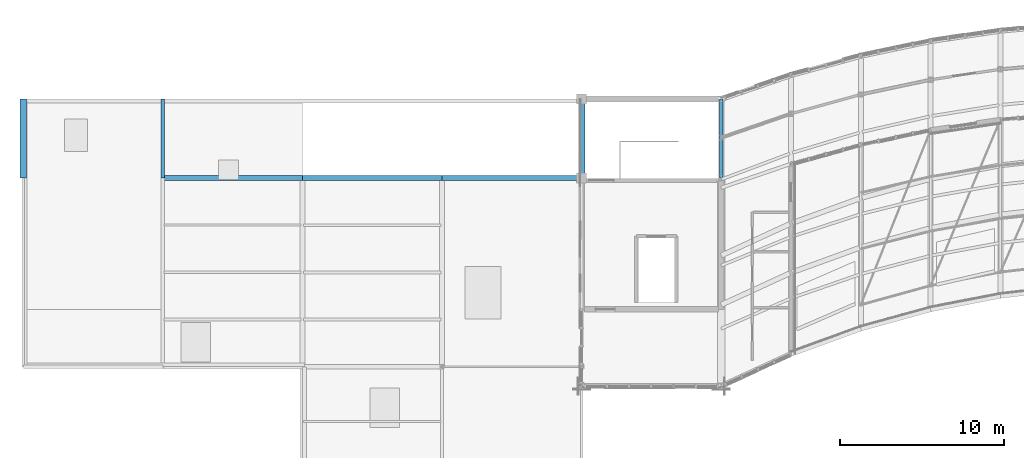
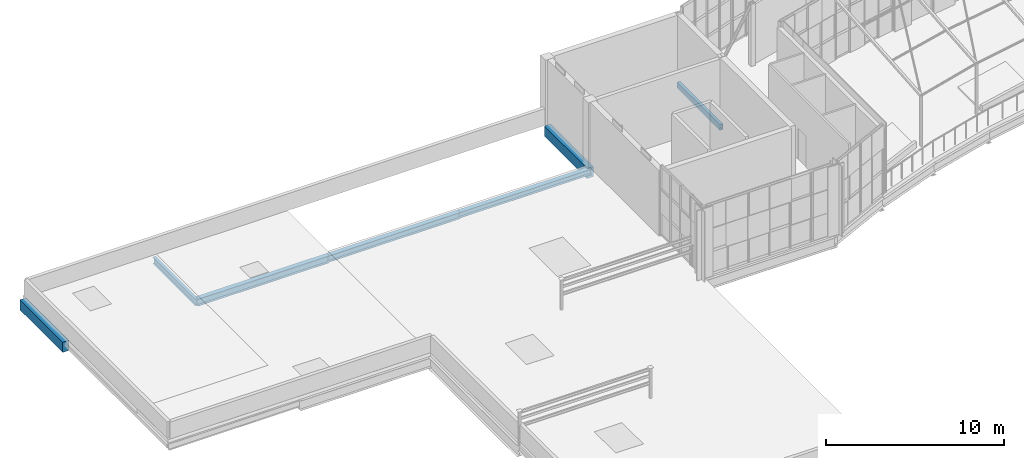
# One storey, part 12 of 35: 7 beams.
"""IFC4 building model written with IfcOpenShell, lengths in metres."""

from ifc_helpers import new_model, si_unit, direction, frame, origin, origin_2d, place, context, subcontext, project, spatial, rectangle, hollow_rectangle, i_section, extrude, material, material_profile, profile_set, type_object, element, save


model = new_model("IFC4")

# Units and contexts
model_context = context("Model", 3, precision=1e-05, world=origin(), true_north=direction((0.0, 1.0)))
body_context = subcontext(model_context, "Body", "Model", "MODEL_VIEW")
ifc_project = project(units=[si_unit("LENGTHUNIT", "METRE"), si_unit("AREAUNIT", "SQUARE_METRE"), si_unit("VOLUMEUNIT", "CUBIC_METRE"), si_unit("PLANEANGLEUNIT", "RADIAN"), si_unit("MASSUNIT", "GRAM", prefix="KILO")], contexts=[model_context])

# Site, building, storey
site_placement = place(None, origin())
site = spatial("IfcSite", under=ifc_project, at=site_placement, CompositionType="ELEMENT")
building_placement = place(site_placement, origin())
building = spatial("IfcBuilding", under=site, at=building_placement, Name="Solvikara Media Centre", CompositionType="ELEMENT")
storey_placement = place(building_placement, frame((0.0, 0.0, 29.39990234375)))
storey = spatial("IfcBuildingStorey", under=building, at=storey_placement, Name="L06", CompositionType="ELEMENT", Elevation=29.39990234375)

# Beams
ifc_material_1 = material(Name="Concrete fc' 35 MPa (C35/45)", Category="concrete")
ifc_material_profile_1 = material_profile(ifc_material_1, rectangle(XDim=0.39990234375, YDim=0.699951171875, at=origin_2d()), Name="RC 400x700")
ifc_profile_set_1 = profile_set([ifc_material_profile_1], Name="Concrete fc' 35 MPa (C35/45)")
beam_type_1 = type_object("IfcBeamType", Name="BM-13", PredefinedType="SPANDREL", material=ifc_profile_set_1)
for number, where, z_axis, x_axis, name in (
    (1, (34.0, 32.0, -0.579833984375), (0.0, 1.0, 0.0), (-1.0, 0.0, 0.0), "B-L06-Y1705"),
    (2, (68.0, 32.0, -0.56982421875), (0.0, 1.0, 0.0), (-1.0, 0.0, 0.0), "B-L06-Y1717"),
):
    element("IfcBeam", number, at=place(storey_placement, frame(where, z_axis=z_axis, x_axis=x_axis)), inside=storey, type_object=beam_type_1, Name=name, PredefinedType="SPANDREL", context=body_context, shape_type="SweptSolid", body=[
        extrude(rectangle(XDim=0.39990234375, YDim=0.699951171875, at=origin_2d()), origin(), (0.0, 0.0, 1.0), 4.800048828125),
    ])
ifc_material_2 = material(Name="Steel S355JR", Category="steel")
ifc_material_profile_2 = material_profile(ifc_material_2, i_section(OverallWidth=0.300048828125, OverallDepth=0.488037109375, WebThickness=0.010986328125, FlangeThickness=0.01806640625, at=origin_2d()), Name="H 488x300x11x18")
ifc_profile_set_2 = profile_set([ifc_material_profile_2], Name="Steel S355JR")
beam_type_2 = type_object("IfcBeamType", Name="BM-27", PredefinedType="BEAM", material=ifc_profile_set_2)
beam_1_placement = place(storey_placement, frame((42.5, 32.0, -0.475830078125), z_axis=(1.0, 0.0, 0.0), x_axis=(0.0, 1.0, 0.0)))
element("IfcBeam", 3, at=beam_1_placement, inside=storey, type_object=beam_type_2, Name="B-L06-X1701", PredefinedType="BEAM", context=body_context, shape_type="SweptSolid", body=[
    extrude(i_section(OverallWidth=0.300048828125, OverallDepth=0.488037109375, WebThickness=0.010986328125, FlangeThickness=0.01806640625, at=origin_2d()), origin(), (0.0, 0.0, 1.0), 8.5),
])
ifc_material_profile_3 = material_profile(ifc_material_2, i_section(OverallWidth=0.300048828125, OverallDepth=0.43994140625, WebThickness=0.010986328125, FlangeThickness=0.01806640625, at=origin_2d()), Name="H 440x300x11x18")
ifc_profile_set_3 = profile_set([ifc_material_profile_3], Name="Steel S355JR")
beam_type_3 = type_object("IfcBeamType", Name="BM-28", PredefinedType="BEAM", material=ifc_profile_set_3)
beam_2_placement = place(storey_placement, frame((51.0, 32.0, -0.451904296875), z_axis=(1.0, 0.0, 0.0), x_axis=(0.0, 1.0, 0.0)))
element("IfcBeam", 4, at=beam_2_placement, inside=storey, type_object=beam_type_3, Name="B-L06-X1702", PredefinedType="BEAM", context=body_context, shape_type="SweptSolid", body=[
    extrude(i_section(OverallWidth=0.300048828125, OverallDepth=0.43994140625, WebThickness=0.010986328125, FlangeThickness=0.01806640625, at=origin_2d()), origin(), (0.0, 0.0, 1.0), 8.5),
])
ifc_material_profile_4 = material_profile(ifc_material_2, i_section(OverallWidth=0.300048828125, OverallDepth=0.389892578125, WebThickness=0.010009765625, FlangeThickness=0.01611328125, at=origin_2d()), Name="H 390x300x10x16")
ifc_profile_set_4 = profile_set([ifc_material_profile_4], Name="Steel S355JR")
beam_type_4 = type_object("IfcBeamType", Name="BM-29", PredefinedType="BEAM", material=ifc_profile_set_4)
beam_3_placement = place(storey_placement, frame((59.5, 32.0, -0.427001953125), z_axis=(1.0, 0.0, 0.0), x_axis=(0.0, 1.0, 0.0)))
element("IfcBeam", 5, at=beam_3_placement, inside=storey, type_object=beam_type_4, Name="B-L06-X1703", PredefinedType="BEAM", context=body_context, shape_type="SweptSolid", body=[
    extrude(i_section(OverallWidth=0.300048828125, OverallDepth=0.389892578125, WebThickness=0.010009765625, FlangeThickness=0.01611328125, at=origin_2d()), origin(), (0.0, 0.0, 1.0), 8.5),
])
ifc_material_profile_5 = material_profile(ifc_material_2, hollow_rectangle(XDim=0.199951171875, YDim=0.39990234375, WallThickness=0.011962890625, at=origin_2d()), Name="RHS 400x200x12")
ifc_profile_set_5 = profile_set([ifc_material_profile_5], Name="Steel S355JR")
beam_type_5 = type_object("IfcBeamType", Name="BM-33", PredefinedType="SPANDREL", material=ifc_profile_set_5)
beam_4_placement = place(storey_placement, frame((76.5, 32.0, -0.421875), z_axis=(0.0, 1.0, 0.0), x_axis=(-1.0, 0.0, 0.0)))
element("IfcBeam", 6, at=beam_4_placement, inside=storey, type_object=beam_type_5, Name="B-L06-Y1719", PredefinedType="SPANDREL", context=body_context, shape_type="SweptSolid", body=[
    extrude(hollow_rectangle(XDim=0.199951171875, YDim=0.39990234375, WallThickness=0.011962890625, at=origin_2d()), origin(), (0.0, 0.0, 1.0), 4.800048828125),
])
ifc_material_profile_6 = material_profile(ifc_material_2, i_section(OverallWidth=0.198974609375, OverallDepth=0.446044921875, WebThickness=0.008056640625, FlangeThickness=0.011962890625, at=origin_2d()), Name="H 446x199x8x12")
ifc_profile_set_6 = profile_set([ifc_material_profile_6], Name="Steel S355JR")
beam_type_6 = type_object("IfcBeamType", Name="BM-43", PredefinedType="BEAM", material=ifc_profile_set_6)
beam_5_placement = place(storey_placement, frame((42.5, 32.0, -0.534912109375), z_axis=(0.0, 1.0, 0.0), x_axis=(-1.0, 0.0, 0.0)))
element("IfcBeam", 7, at=beam_5_placement, inside=storey, type_object=beam_type_6, Name="B-L06-Y1707", PredefinedType="BEAM", context=body_context, shape_type="SweptSolid", body=[
    extrude(i_section(OverallWidth=0.198974609375, OverallDepth=0.446044921875, WebThickness=0.008056640625, FlangeThickness=0.011962890625, at=origin_2d()), origin(), (0.0, 0.0, 1.0), 4.800048828125),
])

save(model, "model.ifc")
